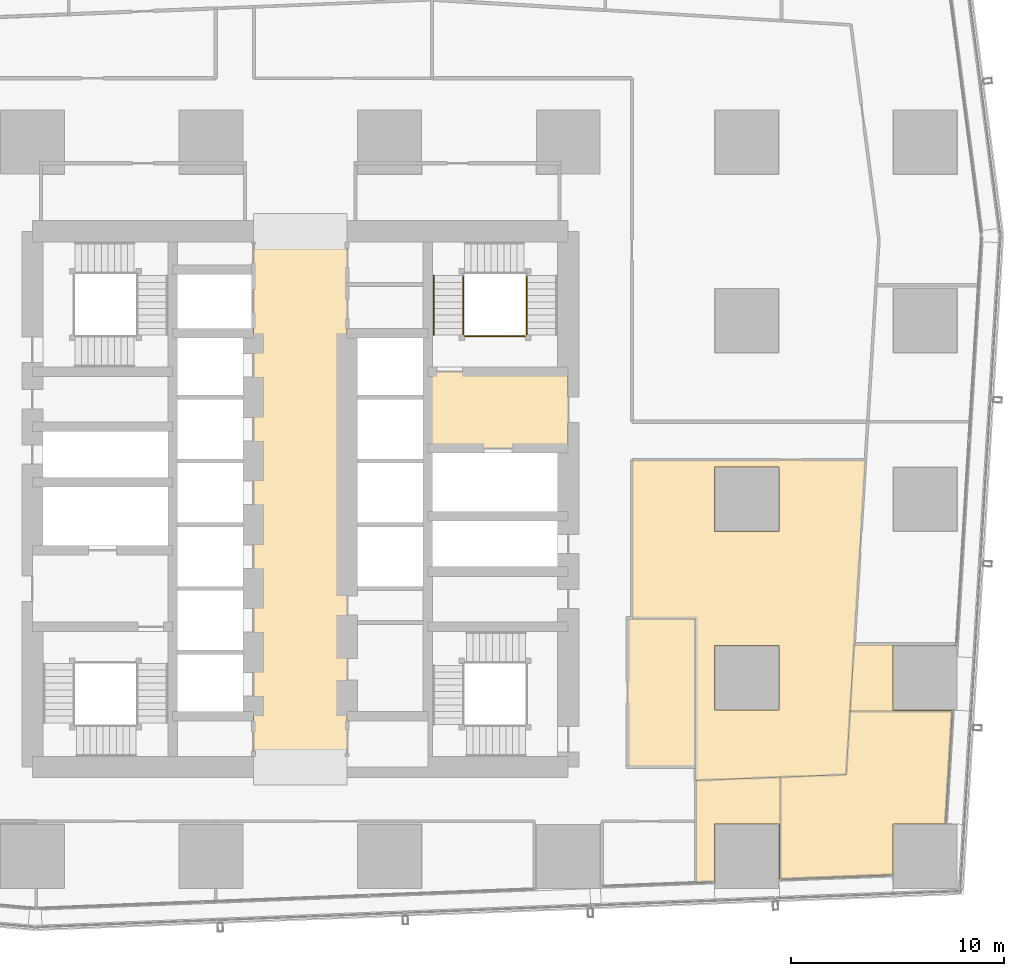
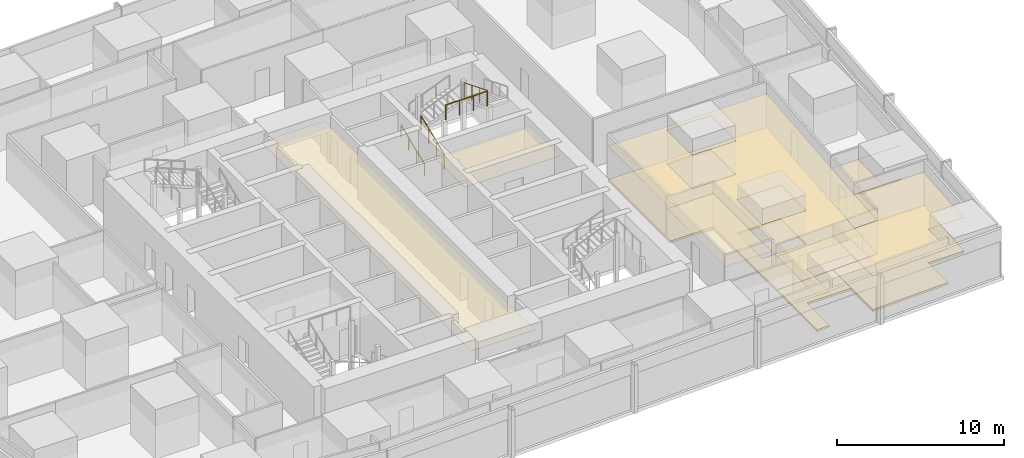
# One storey, part 37 of 39: 11 coverings, 4 railings.
"""IFC4 building model written with IfcOpenShell, lengths in metres."""

from ifc_helpers import new_model, si_unit, direction, frame, origin, origin_2d, place, context, subcontext, project, spatial, polyline, circle, outline, extrude, material, layer, layer_set, type_object, element, save


model = new_model("IFC4")

# Units and contexts
model_context = context("Model", 3, precision=1e-05, world=origin(), true_north=direction((0.0, 1.0)))
body_context = subcontext(model_context, "Body", "Model", "MODEL_VIEW")
ifc_project = project(units=[si_unit("LENGTHUNIT", "METRE"), si_unit("AREAUNIT", "SQUARE_METRE"), si_unit("VOLUMEUNIT", "CUBIC_METRE"), si_unit("PLANEANGLEUNIT", "RADIAN"), si_unit("MASSUNIT", "GRAM", prefix="KILO")], contexts=[model_context])

# Site, building, storey
site_placement = place(None, origin())
site = spatial("IfcSite", under=ifc_project, at=site_placement, CompositionType="ELEMENT")
building_placement = place(site_placement, origin())
building = spatial("IfcBuilding", under=site, at=building_placement, Name="Rekha Terrace Tower", CompositionType="ELEMENT")
storey_placement = place(building_placement, frame((0.0, 0.0, 155.300048828125)))
storey = spatial("IfcBuildingStorey", under=building, at=storey_placement, Name="L39", CompositionType="ELEMENT", Elevation=155.300048828125)

# Coverings
ifc_material_1 = material(Name="Mineral fibre tile in exposed grid", Category="finish")
ifc_layer_1 = layer(ifc_material_1, 0.02001953125)
ifc_layer_set_1 = layer_set([ifc_layer_1], Name="Mineral fibre tile in exposed grid")
covering_type_1 = type_object("IfcCoveringType", Name="CL1 600x1200 office grid ceiling", PredefinedType="CEILING", material=ifc_layer_set_1)
covering_1_placement = place(storey_placement, frame((0.0, 0.0, 2.579833984375)))
element("IfcCovering", 1, at=covering_1_placement, inside=storey, type_object=covering_type_1, Name="Ceiling L39-04", PredefinedType="CEILING", context=body_context, shape_type="SweptSolid", body=[
    extrude(outline(polyline([(60.31494140625, 18.31494140625), (60.31494140625, 15.721923828125), (60.35595703125, 15.72412109375), (60.35595703125, 20.528076171875), (56.402099609375, 20.3740234375), (56.402099609375, 15.571044921875), (57.284912109375, 15.60498046875), (57.284912109375, 18.31494140625), (60.31494140625, 18.31494140625)])), origin(), (0.0, 0.0, 1.0), 0.02001953125),
])
covering_2_placement = place(storey_placement, frame((0.0, 0.0, 2.579833984375)))
element("IfcCovering", 2, at=covering_2_placement, inside=storey, type_object=covering_type_1, Name="Ceiling L39-05", PredefinedType="CEILING", context=body_context, shape_type="SweptSolid", body=[
    extrude(outline(polyline([(68.14208984375, 18.31494140625), (68.468017578125, 23.64111328125), (63.658935546875, 23.64111328125), (63.47607421875, 20.64990234375), (60.35693359375, 20.528076171875), (60.35693359375, 15.72509765625), (65.68505859375, 15.931884765625), (65.68505859375, 18.31494140625), (68.14208984375, 18.31494140625)])), origin(), (0.0, 0.0, 1.0), 0.02001953125),
])
covering_3_placement = place(storey_placement, frame((0.0, 0.0, 2.579833984375)))
element("IfcCovering", 3, at=covering_3_placement, inside=storey, type_object=covering_type_1, Name="Ceiling L39-06", PredefinedType="CEILING", context=body_context, shape_type="SweptSolid", body=[
    extrude(outline(polyline([(65.68505859375, 26.715087890625), (68.656982421875, 26.715087890625), (68.658935546875, 26.7548828125), (63.85009765625, 26.7548828125), (63.658935546875, 23.64208984375), (68.468017578125, 23.64208984375), (68.470947265625, 23.68505859375), (65.68505859375, 23.68505859375), (65.68505859375, 26.715087890625)])), origin(), (0.0, 0.0, 1.0), 0.02001953125),
])
covering_4_placement = place(storey_placement, frame((0.0, 0.0, 2.579833984375)))
element("IfcCovering", 4, at=covering_4_placement, inside=storey, type_object=covering_type_1, Name="Ceiling L39-O1b", PredefinedType="CEILING", context=body_context, shape_type="SweptSolid", body=[
    extrude(outline(polyline([(56.39990234375, 28.0), (56.39990234375, 20.3740234375), (60.3720703125, 20.529052734375), (63.47607421875, 20.64990234375), (63.658935546875, 23.64208984375), (63.85009765625, 26.756103515625), (64.382080078125, 35.447021484375), (53.39990234375, 35.447021484375), (53.39990234375, 28.0), (56.39990234375, 28.0)]), holes=[polyline([(60.31494140625, 26.715087890625), (60.31494140625, 23.68505859375), (57.284912109375, 23.68505859375), (57.284912109375, 26.715087890625), (60.31494140625, 26.715087890625)]), polyline([(60.31494140625, 32.0849609375), (57.284912109375, 32.0849609375), (57.284912109375, 35.114990234375), (60.31494140625, 35.114990234375), (60.31494140625, 32.0849609375)])]), origin(), (0.0, 0.0, 1.0), 0.02001953125),
])
ifc_material_2 = material(Name="Fibre cement board", Category="finish")
ifc_layer_2 = layer(ifc_material_2, 0.014892578125)
ifc_layer_set_2 = layer_set([ifc_layer_2], Name="Fibre cement board")
covering_type_2 = type_object("IfcCoveringType", Name="CL2 moisture-resistant board ceiling", PredefinedType="CEILING", material=ifc_layer_set_2)
covering_5_placement = place(storey_placement, frame((0.0, 0.0, 2.5849609375)))
element("IfcCovering", 5, at=covering_5_placement, inside=storey, type_object=covering_type_2, Name="Ceiling L39-WCM2", PredefinedType="CEILING", context=body_context, shape_type="SweptSolid", body=[
    extrude(outline(polyline([(56.39990234375, 28.0), (53.199951171875, 28.0), (53.199951171875, 21.0), (56.39990234375, 21.0), (56.39990234375, 28.0)])), origin(), (0.0, 0.0, 1.0), 0.014892578125),
])
ifc_material_3 = material(Name="Powder-coated aluminium pan", Category="aluminium")
ifc_layer_3 = layer(ifc_material_3, 0.030029296875)
ifc_layer_set_3 = layer_set([ifc_layer_3], Name="Powder-coated aluminium pan")
covering_type_3 = type_object("IfcCoveringType", Name="CL3 300x1200 metal pan ceiling", PredefinedType="CEILING", material=ifc_layer_set_3)
covering_6_placement = place(storey_placement, frame((0.0, 0.0, 2.570068359375)))
element("IfcCovering", 6, at=covering_6_placement, inside=storey, type_object=covering_type_3, Name="Ceiling L39-LOBBY", PredefinedType="CEILING", context=body_context, shape_type="SweptSolid", body=[
    extrude(outline(polyline([(40.0, 46.199951171875), (35.60009765625, 46.199951171875), (35.60009765625, 21.0), (40.0, 21.0), (40.0, 46.199951171875)])), origin(), (0.0, 0.0, 1.0), 0.02978515625),
])
covering_7_placement = place(storey_placement, frame((0.0, 0.0, 2.570068359375)))
element("IfcCovering", 7, at=covering_7_placement, inside=storey, type_object=covering_type_3, Name="Ceiling L39-FLB2", PredefinedType="CEILING", context=body_context, shape_type="SweptSolid", body=[
    extrude(outline(polyline([(50.39990234375, 39.60009765625), (43.800048828125, 39.60009765625), (43.800048828125, 36.0), (50.39990234375, 36.0), (50.39990234375, 39.60009765625)])), origin(), (0.0, 0.0, 1.0), 0.02978515625),
])

# Railings
ifc_material_4 = material(Name="Stainless steel balustrade", Category="steel")
railing_type_1 = type_object("IfcRailingType", Name="GR1 1100 stair guard", PredefinedType="GUARDRAIL", material=ifc_material_4)
railing_1_placement = place(storey_placement, frame((45.465087890625, 41.324951171875, 0.125)))
element("IfcRailing", 8, at=railing_1_placement, inside=storey, type_object=railing_type_1, Name="Guard ST2 L39 flight 1", PredefinedType="GUARDRAIL", context=body_context, shape_type="SweptSolid", body=[
    extrude(circle(Radius=0.02392578125, at=origin_2d()), frame((0.0, 0.0, 1.076171875), z_axis=(0.0, 0.927443287984, 0.373963831907), x_axis=(-1.0, 0.0, 0.0)), (0.0, 0.0, 1.0), 3.00830078125),
    extrude(circle(Radius=0.02099609375, at=origin_2d()), origin(), (0.0, 0.0, 1.0), 1.052001953125),
    extrude(circle(Radius=0.02099609375, at=origin_2d()), frame((0.0, 0.929931640625, 0.375)), (0.0, 0.0, 1.0), 1.052001953125),
    extrude(circle(Radius=0.02099609375, at=origin_2d()), frame((0.0, 1.860107421875, 0.75)), (0.0, 0.0, 1.0), 1.052001953125),
    extrude(circle(Radius=0.02099609375, at=origin_2d()), frame((0.0, 2.7900390625, 1.125)), (0.0, 0.0, 1.0), 1.052001953125),
])
railing_2_placement = place(storey_placement, frame((48.4599609375, 44.114990234375, 2.625)))
element("IfcRailing", 9, at=railing_2_placement, inside=storey, type_object=railing_type_1, Name="Guard ST2 L39 flight 3", PredefinedType="GUARDRAIL", context=body_context, shape_type="SweptSolid", body=[
    extrude(circle(Radius=0.02392578125, at=origin_2d()), frame((0.0, 0.0, 1.076171875), z_axis=(0.0, -0.927443287984, 0.373963831907), x_axis=(1.0, 0.0, 0.0)), (0.0, 0.0, 1.0), 3.00830078125),
    extrude(circle(Radius=0.02099609375, at=origin_2d()), origin(), (0.0, 0.0, 1.0), 1.052001953125),
    extrude(circle(Radius=0.02099609375, at=origin_2d()), frame((0.0, -0.929931640625, 0.375)), (0.0, 0.0, 1.0), 1.052001953125),
    extrude(circle(Radius=0.02099609375, at=origin_2d()), frame((0.0, -1.860107421875, 0.75)), (0.0, 0.0, 1.0), 1.052001953125),
    extrude(circle(Radius=0.02099609375, at=origin_2d()), frame((0.0, -2.7900390625, 1.125)), (0.0, 0.0, 1.0), 1.052001953125),
])
railing_3_placement = place(storey_placement, frame((45.52490234375, 41.264892578125, 3.75)))
element("IfcRailing", 10, at=railing_3_placement, inside=storey, type_object=railing_type_1, Name="Guard ST2 L39 landing 4", PredefinedType="GUARDRAIL", context=body_context, shape_type="SweptSolid", body=[
    extrude(circle(Radius=0.02392578125, at=origin_2d()), frame((0.0, 0.0, 1.076171875), z_axis=(1.0, 0.0, 0.0), x_axis=(0.0, 1.0, 0.0)), (0.0, 0.0, 1.0), 2.875),
    extrude(circle(Radius=0.02099609375, at=origin_2d()), origin(), (0.0, 0.0, 1.0), 1.052001953125),
    extrude(circle(Radius=0.02099609375, at=origin_2d()), frame((0.958251953125, 0.0, 0.0)), (0.0, 0.0, 1.0), 1.052001953125),
    extrude(circle(Radius=0.02099609375, at=origin_2d()), frame((1.916748046875, 0.0, 0.0)), (0.0, 0.0, 1.0), 1.052001953125),
    extrude(circle(Radius=0.02099609375, at=origin_2d()), frame((2.875, 0.0, 0.0)), (0.0, 0.0, 1.0), 1.052001953125),
])
ifc_material_5 = material(Name="Stainless steel tube", Category="steel")
railing_type_2 = type_object("IfcRailingType", Name="HR1 900 stair handrail", PredefinedType="HANDRAIL", material=ifc_material_5)
railing_4_placement = place(storey_placement, frame((44.0849609375, 41.324951171875, 0.125)))
element("IfcRailing", 11, at=railing_4_placement, inside=storey, type_object=railing_type_2, Name="Handrail ST2 L39 flight 1", PredefinedType="HANDRAIL", context=body_context, shape_type="SweptSolid", body=[
    extrude(circle(Radius=0.02392578125, at=origin_2d()), frame((0.0, 0.0, 0.8759765625), z_axis=(0.0, 0.927443287984, 0.373963831907), x_axis=(-1.0, 0.0, 0.0)), (0.0, 0.0, 1.0), 3.00830078125),
    extrude(circle(Radius=0.02099609375, at=origin_2d()), origin(), (0.0, 0.0, 1.0), 0.851806640625),
    extrude(circle(Radius=0.02099609375, at=origin_2d()), frame((0.0, 0.929931640625, 0.375)), (0.0, 0.0, 1.0), 0.851806640625),
    extrude(circle(Radius=0.02099609375, at=origin_2d()), frame((0.0, 1.860107421875, 0.75)), (0.0, 0.0, 1.0), 0.851806640625),
    extrude(circle(Radius=0.02099609375, at=origin_2d()), frame((0.0, 2.7900390625, 1.125)), (0.0, 0.0, 1.0), 0.851806640625),
])

# Coverings
ifc_material_6 = material(Name="Calcium sulphate panels on steel pedestals", Category="steel")
ifc_layer_4 = layer(ifc_material_6, 0.14990234375)
ifc_layer_set_4 = layer_set([ifc_layer_4], Name="Calcium sulphate panels on steel pedestals")
covering_type_4 = type_object("IfcCoveringType", Name="RF1 150 raised access floor", PredefinedType="FLOORING", material=ifc_layer_set_4)
covering_8_placement = place(storey_placement, origin())
element("IfcCovering", 12, at=covering_8_placement, inside=storey, type_object=covering_type_4, Name="Raised floor L39-04", PredefinedType="FLOORING", context=body_context, shape_type="SweptSolid", body=[
    extrude(outline(polyline([(60.31494140625, 18.31494140625), (60.31494140625, 15.721923828125), (60.35595703125, 15.72412109375), (60.35595703125, 20.528076171875), (56.402099609375, 20.3740234375), (56.402099609375, 15.571044921875), (57.284912109375, 15.60498046875), (57.284912109375, 18.31494140625), (60.31494140625, 18.31494140625)])), origin(), (0.0, 0.0, 1.0), 0.14990234375),
])
covering_9_placement = place(storey_placement, origin())
element("IfcCovering", 13, at=covering_9_placement, inside=storey, type_object=covering_type_4, Name="Raised floor L39-05", PredefinedType="FLOORING", context=body_context, shape_type="SweptSolid", body=[
    extrude(outline(polyline([(68.14208984375, 18.31494140625), (68.468017578125, 23.64111328125), (63.658935546875, 23.64111328125), (63.47607421875, 20.64990234375), (60.35693359375, 20.528076171875), (60.35693359375, 15.72509765625), (65.68505859375, 15.931884765625), (65.68505859375, 18.31494140625), (68.14208984375, 18.31494140625)])), origin(), (0.0, 0.0, 1.0), 0.14990234375),
])
covering_10_placement = place(storey_placement, origin())
element("IfcCovering", 14, at=covering_10_placement, inside=storey, type_object=covering_type_4, Name="Raised floor L39-06", PredefinedType="FLOORING", context=body_context, shape_type="SweptSolid", body=[
    extrude(outline(polyline([(65.68505859375, 26.715087890625), (68.656982421875, 26.715087890625), (68.658935546875, 26.7548828125), (63.85009765625, 26.7548828125), (63.658935546875, 23.64208984375), (68.468017578125, 23.64208984375), (68.470947265625, 23.68505859375), (65.68505859375, 23.68505859375), (65.68505859375, 26.715087890625)])), origin(), (0.0, 0.0, 1.0), 0.14990234375),
])
covering_11_placement = place(storey_placement, origin())
element("IfcCovering", 15, at=covering_11_placement, inside=storey, type_object=covering_type_4, Name="Raised floor L39-O1b", PredefinedType="FLOORING", context=body_context, shape_type="SweptSolid", body=[
    extrude(outline(polyline([(56.39990234375, 28.0), (56.39990234375, 20.3740234375), (60.3720703125, 20.529052734375), (63.47607421875, 20.64990234375), (63.658935546875, 23.64208984375), (63.85009765625, 26.756103515625), (64.382080078125, 35.447021484375), (53.39990234375, 35.447021484375), (53.39990234375, 28.0), (56.39990234375, 28.0)]), holes=[polyline([(60.31494140625, 26.715087890625), (60.31494140625, 23.68505859375), (57.284912109375, 23.68505859375), (57.284912109375, 26.715087890625), (60.31494140625, 26.715087890625)]), polyline([(60.31494140625, 32.0849609375), (57.284912109375, 32.0849609375), (57.284912109375, 35.114990234375), (60.31494140625, 35.114990234375), (60.31494140625, 32.0849609375)])]), origin(), (0.0, 0.0, 1.0), 0.14990234375),
])

save(model, "model.ifc")
